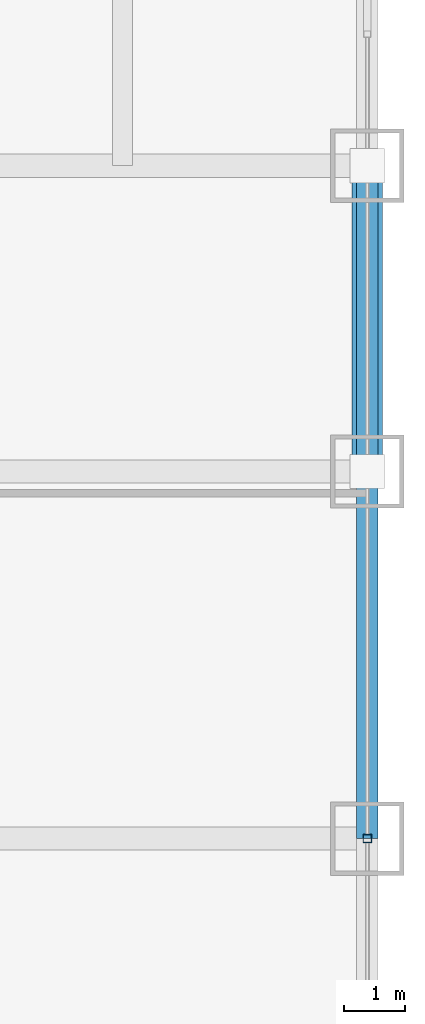
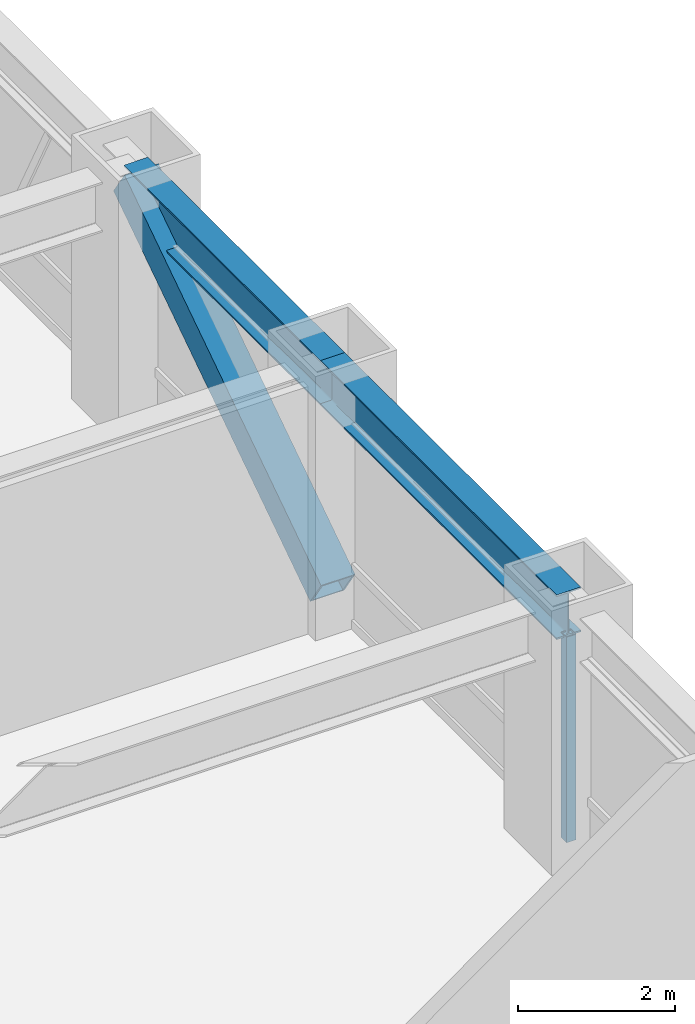
# One storey, part 14 of 27: 2 beams, 2 members, 1 element without a shape of its own.
"""IFC4 building model written with IfcOpenShell, lengths in metres."""

from ifc_helpers import new_model, si_unit, direction, frame, origin, origin_2d, place, context, subcontext, project, spatial, hollow_rectangle, i_section, extrude, source, transform, mapped, material, material_profile, profile_set, type_object, element, aggregate, save


model = new_model("IFC4")

# Units and contexts
model_context = context("Model", 3, precision=1e-05, world=origin(), true_north=direction((0.0, 1.0)))
body_context = subcontext(model_context, "Body", "Model", "MODEL_VIEW")
ifc_project = project(units=[si_unit("LENGTHUNIT", "METRE"), si_unit("AREAUNIT", "SQUARE_METRE"), si_unit("VOLUMEUNIT", "CUBIC_METRE"), si_unit("PLANEANGLEUNIT", "RADIAN"), si_unit("MASSUNIT", "GRAM", prefix="KILO")], contexts=[model_context])

# Site, building, storey
site_placement = place(None, origin())
site = spatial("IfcSite", under=ifc_project, at=site_placement, CompositionType="ELEMENT")
building_placement = place(site_placement, origin())
building = spatial("IfcBuilding", under=site, at=building_placement, Name="Khorayat Bourse Tower", CompositionType="ELEMENT")
storey_placement = place(building_placement, frame((0.0, 0.0, 103.699951171875)))
storey = spatial("IfcBuildingStorey", under=building, at=storey_placement, Name="L23", CompositionType="ELEMENT", Elevation=103.699951171875)

# Beams
ifc_material_1 = material(Name="Steel ASTM A992 Grade 50", Category="steel")
ifc_material_profile_1 = material_profile(ifc_material_1, i_section(OverallWidth=0.35498046875, OverallDepth=0.695068359375, WebThickness=0.015380859375, FlangeThickness=0.02490234375, FilletRadius=0.01806640625, at=origin_2d()), Name="W690X217")
ifc_profile_set_1 = profile_set([ifc_material_profile_1], Name="Steel ASTM A992 Grade 50")
beam_type = type_object("IfcBeamType", Name="BM-SPAN-690", PredefinedType="SPANDREL", material=ifc_profile_set_1)
shared_shape_1 = source(origin(), body_context, "Body", "SweptSolid", [
    extrude(i_section(OverallWidth=0.35498046875, OverallDepth=0.695068359375, WebThickness=0.015380859375, FlangeThickness=0.02490234375, FilletRadius=0.01806640625, at=origin_2d()), origin(), (0.0, 0.0, 1.0), 5.0),
])
beam_1_placement = place(storey_placement, frame((32.0, 6.0, 3.492431640625), z_axis=(0.0, 1.0, 0.0), x_axis=(-1.0, 0.0, 0.0)))
element("IfcBeam", 1, at=beam_1_placement, inside=storey, type_object=beam_type, Name="L23 BM-SPAN-690 BM-L23-SPN-039", PredefinedType="SPANDREL", context=body_context, shape_type="MappedRepresentation", body=[
    mapped(shared_shape_1, transform((0.0, 0.0, 0.0), scale=1.0)),
])
shared_shape_2 = source(origin(), body_context, "Body", "SweptSolid", [
    extrude(i_section(OverallWidth=0.35498046875, OverallDepth=0.695068359375, WebThickness=0.015380859375, FlangeThickness=0.02490234375, FilletRadius=0.01806640625, at=origin_2d()), origin(), (0.0, 0.0, 1.0), 6.0),
])
beam_2_placement = place(storey_placement, frame((32.0, 0.0, 3.492431640625), z_axis=(0.0, 1.0, 0.0), x_axis=(-1.0, 0.0, 0.0)))
element("IfcBeam", 2, at=beam_2_placement, inside=storey, type_object=beam_type, Name="L23 BM-SPAN-690 BM-L23-SPN-038", PredefinedType="SPANDREL", context=body_context, shape_type="MappedRepresentation", body=[
    mapped(shared_shape_2, transform((0.0, 0.0, 0.0), scale=1.0)),
])

# Member
ifc_material_2 = material(Name="Steel EN 10025-4 S460M", Category="steel")
ifc_material_profile_2 = material_profile(ifc_material_2, hollow_rectangle(XDim=0.5, YDim=0.5, WallThickness=0.028076171875, at=origin_2d()), Name="HSS 500x500x28")
ifc_profile_set_2 = profile_set([ifc_material_profile_2], Name="Steel EN 10025-4 S460M")
member_type_1 = type_object("IfcMemberType", Name="MBR-TUBE-500", PredefinedType="BRACE", material=ifc_profile_set_2)
shared_shape_3 = source(origin(), body_context, "Body", "SweptSolid", [
    extrude(hollow_rectangle(XDim=0.5, YDim=0.5, WallThickness=0.028076171875, at=origin_2d()), origin(), (0.0, 0.0, 1.0), 6.012939453125),
])
member_1_placement = place(storey_placement, frame((32.0, 6.0, 0.25), z_axis=(0.0, 0.831531473026, 0.555477640745), x_axis=(-1.0, 0.0, 0.0)))
element("IfcMember", 3, at=member_1_placement, inside=storey, type_object=member_type_1, Name="L23 Perimeter Tube Brace 08", PredefinedType="BRACE", context=body_context, shape_type="MappedRepresentation", body=[
    mapped(shared_shape_3, transform((0.0, 0.0, 0.0), scale=1.0)),
])

# Curtain wall, member
ifc_material_3 = material(Name="Aluminium EN AW-6063 T6", Category="aluminium")
curtain_wall_type = type_object("IfcCurtainWallType", Name="CW-SYS-02", PredefinedType="NOTDEFINED", material=ifc_material_3)
curtain_wall_placement = place(storey_placement, origin())
curtain_wall = element("IfcCurtainWall", 4, at=curtain_wall_placement, inside=storey, type_object=curtain_wall_type, Name="L23 Curtain Wall CW-L23-E1", PredefinedType="NOTDEFINED")
ifc_material_profile_3 = material_profile(ifc_material_3, hollow_rectangle(XDim=0.139892578125, YDim=0.139892578125, WallThickness=0.006103515625, at=origin_2d()), Name="ALU 140x140x6")
ifc_profile_set_3 = profile_set([ifc_material_profile_3], Name="Aluminium EN AW-6063 T6")
member_type_2 = type_object("IfcMemberType", Name="CWM-VERT-140", PredefinedType="MULLION", material=ifc_profile_set_3)
shared_shape_4 = source(origin(), body_context, "Body", "SweptSolid", [
    extrude(hollow_rectangle(XDim=0.139892578125, YDim=0.139892578125, WallThickness=0.006103515625, at=origin_2d()), origin(), (0.0, 0.0, 1.0), 3.18994140625),
])
member_2_placement = place(storey_placement, frame((32.0, 0.0, 0.0), z_axis=(0.0, 0.0, 1.0), x_axis=(-1.0, 0.0, 0.0)))
member_2 = element("IfcMember", 5, at=member_2_placement, type_object=member_type_2, Name="CW-L23-E1 Vertical Mullion 2", PredefinedType="MULLION", context=body_context, shape_type="MappedRepresentation", body=[
    mapped(shared_shape_4, transform((0.0, 0.0, 0.0), scale=1.0)),
])
aggregate(curtain_wall, [member_2])

save(model, "model.ifc")
